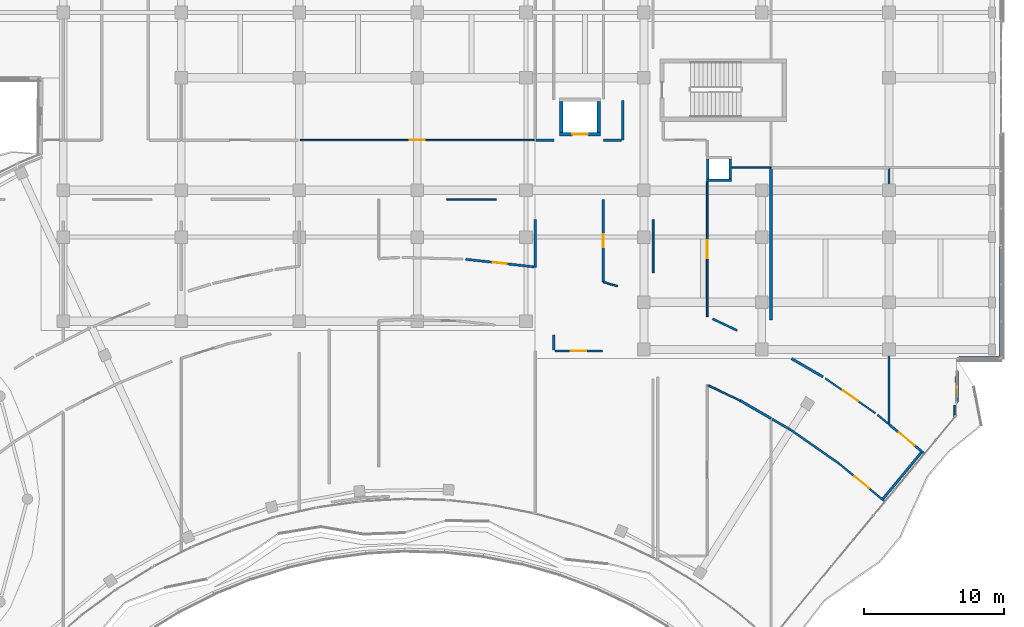
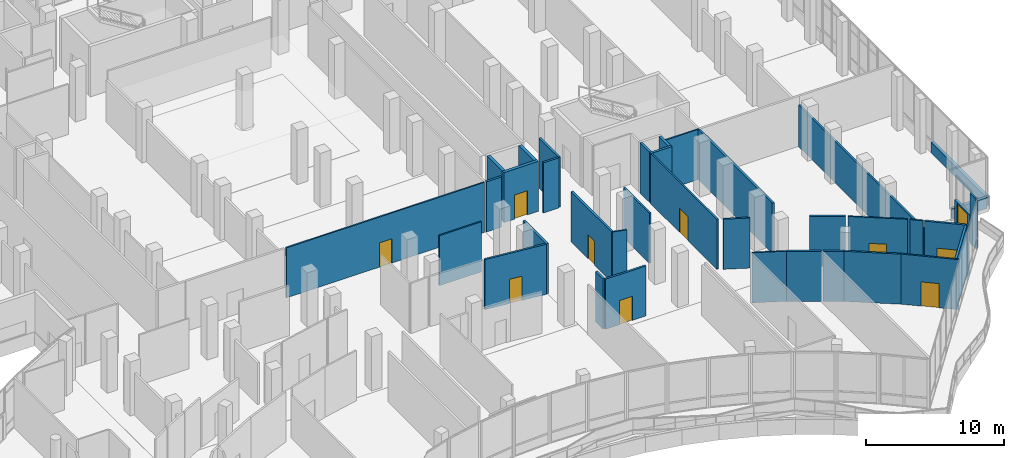
# One storey, part 150 of 168: 37 walls, 10 doors, 10 openings.
"""IFC4 building model written with IfcOpenShell, lengths in metres."""

from ifc_helpers import new_model, si_unit, direction, frame, frame_2d, origin, place, context, subcontext, project, spatial, rectangle, extrude, material, layer, layer_set, type_object, element, fill, save


model = new_model("IFC4")

# Units and contexts
model_context = context("Model", 3, precision=1e-05, world=origin(), true_north=direction((0.0, 1.0)))
body_context = subcontext(model_context, "Body", "Model", "MODEL_VIEW")
ifc_project = project(units=[si_unit("LENGTHUNIT", "METRE"), si_unit("AREAUNIT", "SQUARE_METRE"), si_unit("VOLUMEUNIT", "CUBIC_METRE"), si_unit("PLANEANGLEUNIT", "RADIAN"), si_unit("MASSUNIT", "GRAM", prefix="KILO")], contexts=[model_context])

# Site, building, storey
site_placement = place(None, origin())
site = spatial("IfcSite", under=ifc_project, at=site_placement, CompositionType="ELEMENT")
building_placement = place(site_placement, origin())
building = spatial("IfcBuilding", under=site, at=building_placement, Name="Selatvlak General Hospital", CompositionType="ELEMENT")
storey_placement = place(building_placement, frame((0.0, 0.0, 5.39990234375)))
storey = spatial("IfcBuildingStorey", under=building, at=storey_placement, Name="L01", CompositionType="ELEMENT", Elevation=5.39990234375)

# Walls
ifc_material_1 = material(Name="Precast concrete C40/50 - white Bauhaus spandrel", Category="concrete")
ifc_layer_1 = layer(ifc_material_1, 0.280029296875, Name="Precast concrete C40/50 - white Bauhaus spandrel", Category="concrete")
ifc_layer_set_1 = layer_set([ifc_layer_1], Name="Precast concrete C40/50 - white Bauhaus spandrel")
wall_type_1 = type_object("IfcWallType", Name="WALL-EW-02", PredefinedType="SOLIDWALL", material=ifc_layer_set_1)
wall_1_placement = place(storey_placement, frame((182.0, 71.9990234375, 0.0), z_axis=(0.0, 0.0, 1.0), x_axis=(0.0, -1.0, 0.0)))
element("IfcWall", 1, at=wall_1_placement, inside=storey, type_object=wall_type_1, Name="L01 Bauhaus spandrel sill wall 0227", PredefinedType="SOLIDWALL", context=body_context, shape_type="SweptSolid", body=[
    extrude(rectangle(XDim=7.85791015625, YDim=0.280029296875, at=frame_2d((3.928955078125, 0.0))), origin(), (0.0, 0.0, 1.0), 0.940185546875),
])
wall_2_placement = place(storey_placement, frame((181.860107421875, 64.0009765625, 0.0), z_axis=(0.0, 0.0, 1.0), x_axis=(-0.999999941708, -0.000341442575, 0.0)))
element("IfcWall", 2, at=wall_2_placement, inside=storey, type_object=wall_type_1, Name="L01 Bauhaus spandrel sill wall 0228", PredefinedType="SOLIDWALL", context=body_context, shape_type="SweptSolid", body=[
    extrude(rectangle(XDim=2.860107421875, YDim=0.280029296875, at=frame_2d((1.43017578125, 0.0))), origin(), (0.0, 0.0, 1.0), 0.940185546875),
])

# Wall, opening, door
ifc_material_2 = material(Name="Precast concrete C40/50 - white fair-faced", Category="concrete")
ifc_layer_2 = layer(ifc_material_2, 0.239990234375, Name="Precast concrete C40/50 - white fair-faced", Category="concrete")
ifc_layer_set_2 = layer_set([ifc_layer_2], Name="Precast concrete C40/50 - white fair-faced")
wall_type_2 = type_object("IfcWallType", Name="WALL-EW-04", PredefinedType="SOLIDWALL", material=ifc_layer_set_2)
wall_3_placement = place(storey_placement, frame((178.846923828125, 63.125, 0.0), z_axis=(0.0, 0.0, 1.0), x_axis=(-0.014752666714, -0.999891173491, 0.0)))
wall_3 = element("IfcWall", 3, at=wall_3_placement, inside=storey, type_object=wall_type_2, Name="L01 S-curve glazed balcony door frame 0229", PredefinedType="SOLIDWALL", context=body_context, shape_type="SweptSolid", body=[
    extrude(rectangle(XDim=2.30029296875, YDim=0.239990234375, at=frame_2d((1.150146484375, 0.0))), origin(), (0.0, 0.0, 1.0), 2.320068359375),
])
opening_1_placement = place(wall_3_placement, frame((0.35009765625, 0.0, 0.0)))
opening_1 = element("IfcOpeningElement", 4, at=opening_1_placement, cuts=wall_3, Name="Opening DE-05", PredefinedType="OPENING", context=body_context, shape_type="SweptSolid", body=[
    extrude(rectangle(XDim=1.60009765625, YDim=2.199951171875, at=frame_2d((0.800048828125, 1.10009765625))), frame((0.0, 0.1298828125, 0.0), z_axis=(0.0, -1.0, 0.0), x_axis=(1.0, 0.0, 0.0)), (0.0, 0.0, 1.0), 0.260009765625),
])
ifc_material_3 = material(Name="Anodised aluminium balcony double door", Category="aluminium")
door_type_1 = type_object("IfcDoorType", Name="DOOR-DE-05", OperationType="DOUBLE_DOOR_SINGLE_SWING", PredefinedType="DOOR", material=ifc_material_3)
door_1_placement = place(opening_1_placement, origin())
door_1 = element("IfcDoor", 5, at=door_1_placement, inside=storey, type_object=door_type_1, Name="L01 clinic balcony double door 21", OperationType="DOUBLE_DOOR_SINGLE_SWING", OverallHeight=2.199951171875, OverallWidth=1.60009765625, PredefinedType="DOOR", context=body_context, shape_type="SweptSolid", body=[
    extrude(rectangle(XDim=1.60009765625, YDim=2.199951171875, at=frame_2d((0.800048828125, 1.10009765625))), frame((0.0, 0.02490234375, 0.0), z_axis=(0.0, -1.0, 0.0), x_axis=(1.0, 0.0, 0.0)), (0.0, 0.0, 1.0), 0.050048828125),
])
fill(opening_1, door_1)

# Walls
ifc_material_4 = material(Name="Concrete C40/50", Category="concrete")
ifc_layer_3 = layer(ifc_material_4, 0.199951171875, Name="Concrete C40/50", Category="concrete")
ifc_layer_set_3 = layer_set([ifc_layer_3], Name="Concrete C40/50")
wall_type_3 = type_object("IfcWallType", Name="WALL-IW-02", PredefinedType="SOLIDWALL", material=ifc_layer_set_3)
wall_4_placement = place(storey_placement, frame((161.0, 76.699951171875, 0.0), z_axis=(0.0, 0.0, 1.0), x_axis=(1.0, 0.0, 0.0)))
element("IfcWall", 6, at=wall_4_placement, inside=storey, type_object=wall_type_3, Name="Service riser 4 shaft wall L01 S", PredefinedType="SOLIDWALL", context=body_context, shape_type="SweptSolid", body=[
    extrude(rectangle(XDim=1.800048828125, YDim=0.199951171875, at=frame_2d((0.89990234375, 0.0))), origin(), (0.0, 0.0, 1.0), 4.445068359375),
])
for number, where, z_axis, x_axis, name in (
    (7, (162.699951171875, 76.800048828125, 0.0), (0.0, 0.0, 1.0), (0.0, 1.0, 0.0), "Service riser 4 shaft wall L01 E"),
    (8, (161.10009765625, 78.199951171875, 0.0), (0.0, 0.0, 1.0), (0.0, -1.0, 0.0), "Service riser 4 shaft wall L01 W"),
):
    element("IfcWall", number, at=place(storey_placement, frame(where, z_axis=z_axis, x_axis=x_axis)), inside=storey, type_object=wall_type_3, Name=name, PredefinedType="SOLIDWALL", context=body_context, shape_type="SweptSolid", body=[
        extrude(rectangle(XDim=1.39990234375, YDim=0.199951171875, at=frame_2d((0.699951171875, 0.0))), origin(), (0.0, 0.0, 1.0), 4.445068359375),
    ])
ifc_material_5 = material(Name="Acoustic gypsum stud partition")
ifc_layer_4 = layer(ifc_material_5, 0.179931640625, Name="Acoustic gypsum stud partition")
ifc_layer_set_4 = layer_set([ifc_layer_4], Name="Acoustic gypsum stud partition")
wall_type_4 = type_object("IfcWallType", Name="WALL-PT-01", PredefinedType="PARTITIONING", material=ifc_layer_set_4)
wall_5_placement = place(storey_placement, frame((148.800048828125, 73.887939453125, 0.0), z_axis=(0.0, 0.0, 1.0), x_axis=(0.0, -1.0, 0.0)))
element("IfcWall", 9, at=wall_5_placement, inside=storey, type_object=wall_type_4, Name="L01 clinical partition PT-L01-0880", PredefinedType="PARTITIONING", context=body_context, shape_type="SweptSolid", body=[
    extrude(rectangle(XDim=3.407958984375, YDim=0.179931640625, at=frame_2d((1.7041015625, 0.0))), origin(), (0.0, 0.0, 1.0), 4.445068359375),
])
wall_6_placement = place(storey_placement, frame((150.139892578125, 65.695068359375, 0.0), z_axis=(0.0, 0.0, 1.0), x_axis=(0.0, -1.0, 0.0)))
element("IfcWall", 10, at=wall_6_placement, inside=storey, type_object=wall_type_4, Name="L01 clinical partition PT-L01-0885", PredefinedType="PARTITIONING", context=body_context, shape_type="SweptSolid", body=[
    extrude(rectangle(XDim=1.094970703125, YDim=0.179931640625, at=frame_2d((0.54736328125, 0.0))), origin(), (0.0, 0.0, 1.0), 4.445068359375),
])

# Wall, opening, door
wall_7_placement = place(storey_placement, frame((153.659912109375, 69.447021484375, 0.0), z_axis=(0.0, 0.0, 1.0), x_axis=(0.0, 1.0, 0.0)))
wall_7 = element("IfcWall", 11, at=wall_7_placement, inside=storey, type_object=wall_type_4, Name="L01 clinical partition PT-L01-0890", PredefinedType="PARTITIONING", context=body_context, shape_type="SweptSolid", body=[
    extrude(rectangle(XDim=5.89306640625, YDim=0.179931640625, at=frame_2d((2.946533203125, 0.0))), origin(), (0.0, 0.0, 1.0), 4.445068359375),
])
opening_2_placement = place(wall_7_placement, frame((2.471923828125, 0.0, 0.0)))
opening_2 = element("IfcOpeningElement", 12, at=opening_2_placement, cuts=wall_7, Name="Opening D-02", PredefinedType="OPENING", context=body_context, shape_type="SweptSolid", body=[
    extrude(rectangle(XDim=0.949951171875, YDim=2.10009765625, at=frame_2d((0.47509765625, 1.050048828125))), frame((0.0, 0.099853515625, 0.0), z_axis=(0.0, -1.0, 0.0), x_axis=(1.0, 0.0, 0.0)), (0.0, 0.0, 1.0), 0.199951171875),
])
ifc_material_6 = material(Name="Moisture-resistant en-suite door")
door_type_2 = type_object("IfcDoorType", Name="DOOR-D-02", OperationType="NOTDEFINED", PredefinedType="DOOR", material=ifc_material_6)
door_2_placement = place(opening_2_placement, origin())
door_2 = element("IfcDoor", 13, at=door_2_placement, inside=storey, type_object=door_type_2, Name="L01 Paediatric Intensive Care Unit 36 door", OperationType="SINGLE_SWING_RIGHT", OverallHeight=2.10009765625, OverallWidth=0.949951171875, PredefinedType="DOOR", context=body_context, shape_type="SweptSolid", body=[
    extrude(rectangle(XDim=0.949951171875, YDim=2.10009765625, at=frame_2d((0.47509765625, 1.050048828125))), frame((0.0, 0.02490234375, 0.0), z_axis=(0.0, -1.0, 0.0), x_axis=(1.0, 0.0, 0.0)), (0.0, 0.0, 1.0), 0.050048828125),
])
fill(opening_2, door_2)

# Walls
wall_8_placement = place(storey_placement, frame((163.39990234375, 61.011962890625, 0.0), z_axis=(0.0, 0.0, 1.0), x_axis=(0.865071180383, -0.501649133231, 0.0)))
element("IfcWall", 14, at=wall_8_placement, inside=storey, type_object=wall_type_4, Name="L01 clinical partition PT-L01-0895", PredefinedType="PARTITIONING", context=body_context, shape_type="SweptSolid", body=[
    extrude(rectangle(XDim=2.54345703125, YDim=0.179931640625, at=frame_2d((1.271728515625, 0.0))), origin(), (0.0, 0.0, 1.0), 4.445068359375),
])
wall_9_placement = place(storey_placement, frame((165.60009765625, 77.5439453125, 0.0), z_axis=(0.0, 0.0, 1.0), x_axis=(0.0, -1.0, 0.0)))
element("IfcWall", 15, at=wall_9_placement, inside=storey, type_object=wall_type_4, Name="L01 clinical partition PT-L01-0900", PredefinedType="PARTITIONING", context=body_context, shape_type="SweptSolid", body=[
    extrude(rectangle(XDim=10.781982421875, YDim=0.179931640625, at=frame_2d((5.39111328125, 0.0))), origin(), (0.0, 0.0, 1.0), 4.445068359375),
])
wall_10_placement = place(storey_placement, frame((169.306884765625, 62.696044921875, 0.0), z_axis=(0.0, 0.0, 1.0), x_axis=(-0.86512994763, 0.501547778097, 0.0)))
element("IfcWall", 16, at=wall_10_placement, inside=storey, type_object=wall_type_4, Name="L01 clinical partition PT-L01-0905", PredefinedType="PARTITIONING", context=body_context, shape_type="SweptSolid", body=[
    extrude(rectangle(XDim=2.595947265625, YDim=0.179931640625, at=frame_2d((1.2978515625, 0.0))), origin(), (0.0, 0.0, 1.0), 4.445068359375),
])
wall_11_placement = place(storey_placement, frame((173.574951171875, 54.013916015625, 0.0), z_axis=(0.0, 0.0, 1.0), x_axis=(0.637654919924, 0.770322142416, 0.0)))
element("IfcWall", 17, at=wall_11_placement, inside=storey, type_object=wall_type_4, Name="L01 clinical partition PT-L01-0910", PredefinedType="PARTITIONING", context=body_context, shape_type="SweptSolid", body=[
    extrude(rectangle(XDim=4.296875, YDim=0.179931640625, at=frame_2d((2.1484375, 0.0))), origin(), (0.0, 0.0, 1.0), 4.445068359375),
])
wall_12_placement = place(storey_placement, frame((155.0400390625, 82.388916015625, 0.0), z_axis=(0.0, 0.0, 1.0), x_axis=(0.0, -1.0, 0.0)))
element("IfcWall", 18, at=wall_12_placement, inside=storey, type_object=wall_type_4, Name="L01 clinical partition PT-L01-0975", PredefinedType="PARTITIONING", context=body_context, shape_type="SweptSolid", body=[
    extrude(rectangle(XDim=2.828857421875, YDim=0.179931640625, at=frame_2d((1.41455078125, 0.0))), origin(), (0.0, 0.0, 1.0), 4.445068359375),
])
wall_13_placement = place(storey_placement, frame((150.139892578125, 79.56005859375, 0.0), z_axis=(0.0, 0.0, 1.0), x_axis=(-1.0, 0.0, 0.0)))
element("IfcWall", 19, at=wall_13_placement, inside=storey, type_object=wall_type_4, Name="L01 clinical partition PT-L01-0980", PredefinedType="PARTITIONING", context=body_context, shape_type="SweptSolid", body=[
    extrude(rectangle(XDim=1.27587890625, YDim=0.179931640625, at=frame_2d((0.637939453125, 0.0))), origin(), (0.0, 0.0, 1.0), 4.445068359375),
])

# Wall, opening, door
ifc_layer_5 = layer(ifc_material_5, 0.1650390625, Name="Acoustic gypsum stud partition")
ifc_layer_set_5 = layer_set([ifc_layer_5], Name="Acoustic gypsum stud partition")
wall_type_5 = type_object("IfcWallType", Name="WALL-PT-02", PredefinedType="PARTITIONING", material=ifc_layer_set_5)
wall_14_placement = place(storey_placement, frame((148.714111328125, 70.533935546875, 0.0), z_axis=(0.0, 0.0, 1.0), x_axis=(-0.993917204148, 0.110129883764, 0.0)))
wall_14 = element("IfcWall", 20, at=wall_14_placement, inside=storey, type_object=wall_type_5, Name="L01 clinical partition PT-L01-0881", PredefinedType="PARTITIONING", context=body_context, shape_type="SweptSolid", body=[
    extrude(rectangle(XDim=4.885986328125, YDim=0.1650390625, at=frame_2d((2.44287109375, 0.0))), origin(), (0.0, 0.0, 1.0), 4.445068359375),
])
opening_3_placement = place(wall_14_placement, frame((1.943115234375, 0.0, 0.0)))
opening_3 = element("IfcOpeningElement", 21, at=opening_3_placement, cuts=wall_14, Name="Opening D-21", PredefinedType="OPENING", context=body_context, shape_type="SweptSolid", body=[
    extrude(rectangle(XDim=1.0, YDim=2.14990234375, at=frame_2d((0.5, 1.074951171875))), frame((0.0, 0.092529296875, 0.0), z_axis=(0.0, -1.0, 0.0), x_axis=(1.0, 0.0, 0.0)), (0.0, 0.0, 1.0), 0.18505859375),
])
ifc_material_7 = material(Name="Laboratory fire door")
door_type_3 = type_object("IfcDoorType", Name="DOOR-D-21", OperationType="NOTDEFINED", PredefinedType="DOOR", material=ifc_material_7)
door_3_placement = place(opening_3_placement, origin())
door_3 = element("IfcDoor", 22, at=door_3_placement, inside=storey, type_object=door_type_3, Name="L01 Paediatric Intensive Care Unit 34 door", OperationType="SINGLE_SWING_RIGHT", OverallHeight=2.14990234375, OverallWidth=1.0, PredefinedType="DOOR", context=body_context, shape_type="SweptSolid", body=[
    extrude(rectangle(XDim=1.0, YDim=2.14990234375, at=frame_2d((0.5, 1.074951171875))), frame((0.0, 0.02490234375, 0.0), z_axis=(0.0, -1.0, 0.0), x_axis=(1.0, 0.0, 0.0)), (0.0, 0.0, 1.0), 0.050048828125),
])
fill(opening_3, door_3)

wall_15_placement = place(storey_placement, frame((150.199951171875, 64.5400390625, 0.0), z_axis=(0.0, 0.0, 1.0), x_axis=(1.0, 0.0, 0.0)))
wall_15 = element("IfcWall", 23, at=wall_15_placement, inside=storey, type_object=wall_type_5, Name="L01 clinical partition PT-L01-0886", PredefinedType="PARTITIONING", context=body_context, shape_type="SweptSolid", body=[
    extrude(rectangle(XDim=3.400146484375, YDim=0.1650390625, at=frame_2d((1.7001953125, 0.0))), origin(), (0.0, 0.0, 1.0), 4.445068359375),
])
opening_4_placement = place(wall_15_placement, frame((1.14990234375, 0.0, 0.0)))
opening_4 = element("IfcOpeningElement", 24, at=opening_4_placement, cuts=wall_15, Name="Opening D-22", PredefinedType="OPENING", context=body_context, shape_type="SweptSolid", body=[
    extrude(rectangle(XDim=1.10009765625, YDim=2.14990234375, at=frame_2d((0.550048828125, 1.074951171875))), frame((0.0, 0.092529296875, 0.0), z_axis=(0.0, -1.0, 0.0), x_axis=(1.0, 0.0, 0.0)), (0.0, 0.0, 1.0), 0.18505859375),
])
ifc_material_8 = material(Name="Pharmacy security fire door")
door_type_4 = type_object("IfcDoorType", Name="DOOR-D-22", OperationType="NOTDEFINED", PredefinedType="DOOR", material=ifc_material_8)
door_4_placement = place(opening_4_placement, origin())
door_4 = element("IfcDoor", 25, at=door_4_placement, inside=storey, type_object=door_type_4, Name="L01 Adult Intensive Care Unit Bay 35 door", OperationType="SINGLE_SWING_LEFT", OverallHeight=2.14990234375, OverallWidth=1.10009765625, PredefinedType="DOOR", context=body_context, shape_type="SweptSolid", body=[
    extrude(rectangle(XDim=1.10009765625, YDim=2.14990234375, at=frame_2d((0.550048828125, 1.074951171875))), frame((0.0, 0.02490234375, 0.0), z_axis=(0.0, -1.0, 0.0), x_axis=(1.0, 0.0, 0.0)), (0.0, 0.0, 1.0), 0.050048828125),
])
fill(opening_4, door_4)

# Wall
wall_16_placement = place(storey_placement, frame((165.677978515625, 59.68994140625, 0.0), z_axis=(0.0, 0.0, 1.0), x_axis=(0.865201820635, -0.501423782413, 0.0)))
element("IfcWall", 26, at=wall_16_placement, inside=storey, type_object=wall_type_5, Name="L01 clinical partition PT-L01-0901", PredefinedType="PARTITIONING", context=body_context, shape_type="SweptSolid", body=[
    extrude(rectangle(XDim=1.53955078125, YDim=0.1650390625, at=frame_2d((0.769775390625, 0.0))), origin(), (0.0, 0.0, 1.0), 4.445068359375),
])

# Wall, opening, door
wall_17_placement = place(storey_placement, frame((176.530029296875, 57.22509765625, 0.0), z_axis=(0.0, 0.0, 1.0), x_axis=(-0.770367879737, 0.637599662695, 0.0)))
wall_17 = element("IfcWall", 27, at=wall_17_placement, inside=storey, type_object=wall_type_5, Name="L01 clinical partition PT-L01-0911", PredefinedType="PARTITIONING", context=body_context, shape_type="SweptSolid", body=[
    extrude(rectangle(XDim=3.2841796875, YDim=0.1650390625, at=frame_2d((1.64208984375, 0.0))), origin(), (0.0, 0.0, 1.0), 4.445068359375),
])
opening_5_placement = place(wall_17_placement, frame((0.9169921875, 0.0, 0.0)))
opening_5 = element("IfcOpeningElement", 28, at=opening_5_placement, cuts=wall_17, Name="Opening D-12", PredefinedType="OPENING", context=body_context, shape_type="SweptSolid", body=[
    extrude(rectangle(XDim=1.449951171875, YDim=2.14990234375, at=frame_2d((0.72509765625, 1.074951171875))), frame((0.0, 0.092529296875, 0.0), z_axis=(0.0, -1.0, 0.0), x_axis=(1.0, 0.0, 0.0)), (0.0, 0.0, 1.0), 0.18505859375),
])
ifc_material_9 = material(Name="Isolation anteroom door")
door_type_5 = type_object("IfcDoorType", Name="DOOR-D-12", OperationType="NOTDEFINED", PredefinedType="DOOR", material=ifc_material_9)
door_5_placement = place(opening_5_placement, origin())
door_5 = element("IfcDoor", 29, at=door_5_placement, inside=storey, type_object=door_type_5, Name="L01 Adult Intensive Care Unit Bay 41 door", OperationType="SINGLE_SWING_LEFT", OverallHeight=2.14990234375, OverallWidth=1.449951171875, PredefinedType="DOOR", context=body_context, shape_type="SweptSolid", body=[
    extrude(rectangle(XDim=1.449951171875, YDim=2.14990234375, at=frame_2d((0.72509765625, 1.074951171875))), frame((0.0, 0.02490234375, 0.0), z_axis=(0.0, -1.0, 0.0), x_axis=(1.0, 0.0, 0.0)), (0.0, 0.0, 1.0), 0.050048828125),
])
fill(opening_5, door_5)

# Walls
wall_18_placement = place(storey_placement, frame((154.9541015625, 79.56005859375, 0.0), z_axis=(0.0, 0.0, 1.0), x_axis=(-1.0, 0.0, 0.0)))
element("IfcWall", 30, at=wall_18_placement, inside=storey, type_object=wall_type_5, Name="L01 clinical partition PT-L01-0976", PredefinedType="PARTITIONING", context=body_context, shape_type="SweptSolid", body=[
    extrude(rectangle(XDim=1.294189453125, YDim=0.1650390625, at=frame_2d((0.64697265625, 0.0))), origin(), (0.0, 0.0, 1.0), 4.445068359375),
])
ifc_layer_6 = layer(ifc_material_5, 0.14990234375, Name="Acoustic gypsum stud partition")
ifc_layer_set_6 = layer_set([ifc_layer_6], Name="Acoustic gypsum stud partition")
wall_type_6 = type_object("IfcWallType", Name="WALL-PT-03", PredefinedType="PARTITIONING", material=ifc_layer_set_6)
wall_19_placement = place(storey_placement, frame((163.200927734375, 65.9970703125, 0.0), z_axis=(0.0, 0.0, 1.0), x_axis=(-0.903658874167, 0.428253008325, 0.0)))
element("IfcWall", 31, at=wall_19_placement, inside=storey, type_object=wall_type_6, Name="L01 clinical partition PT-L01-0897", PredefinedType="PARTITIONING", context=body_context, shape_type="SweptSolid", body=[
    extrude(rectangle(XDim=1.951904296875, YDim=0.14990234375, at=frame_2d((0.97607421875, 0.0))), origin(), (0.0, 0.0, 1.0), 4.445068359375),
])
wall_20_placement = place(storey_placement, frame((167.010009765625, 58.91796875, 0.0), z_axis=(0.0, 0.0, 1.0), x_axis=(0.820562806153, -0.571556367437, 0.0)))
element("IfcWall", 32, at=wall_20_placement, inside=storey, type_object=wall_type_6, Name="L01 clinical partition PT-L01-0902", PredefinedType="PARTITIONING", context=body_context, shape_type="SweptSolid", body=[
    extrude(rectangle(XDim=4.1728515625, YDim=0.14990234375, at=frame_2d((2.08642578125, 0.0))), origin(), (0.0, 0.0, 1.0), 4.445068359375),
])
wall_21_placement = place(storey_placement, frame((174.0, 77.52099609375, 0.0), z_axis=(0.0, 0.0, 1.0), x_axis=(0.0, -1.0, 0.0)))
element("IfcWall", 33, at=wall_21_placement, inside=storey, type_object=wall_type_6, Name="L01 clinical partition PT-L01-0907", PredefinedType="PARTITIONING", context=body_context, shape_type="SweptSolid", body=[
    extrude(rectangle(XDim=18.201904296875, YDim=0.14990234375, at=frame_2d((9.10107421875, 0.0))), origin(), (0.0, 0.0, 1.0), 3.695068359375),
])
ifc_material_10 = material(Name="Moisture-resistant clinical partition")
ifc_layer_7 = layer(ifc_material_10, 0.135009765625, Name="Moisture-resistant clinical partition")
ifc_layer_set_7 = layer_set([ifc_layer_7], Name="Moisture-resistant clinical partition")
wall_type_7 = type_object("IfcWallType", Name="WALL-PT-04", PredefinedType="PARTITIONING", material=ifc_layer_set_7)
wall_22_placement = place(storey_placement, frame((157.199951171875, 73.887939453125, 0.0), z_axis=(0.0, 0.0, 1.0), x_axis=(0.0, -1.0, 0.0)))
element("IfcWall", 34, at=wall_22_placement, inside=storey, type_object=wall_type_7, Name="L01 clinical partition PT-L01-0888", PredefinedType="PARTITIONING", context=body_context, shape_type="SweptSolid", body=[
    extrude(rectangle(XDim=3.77587890625, YDim=0.135009765625, at=frame_2d((1.887939453125, 0.0))), origin(), (0.0, 0.0, 1.0), 4.445068359375),
])

# Wall, opening, door
wall_23_placement = place(storey_placement, frame((161.06005859375, 66.98291015625, 0.0), z_axis=(0.0, 0.0, 1.0), x_axis=(0.0, 1.0, 0.0)))
wall_23 = element("IfcWall", 35, at=wall_23_placement, inside=storey, type_object=wall_type_7, Name="L01 clinical partition PT-L01-0898", PredefinedType="PARTITIONING", context=body_context, shape_type="SweptSolid", body=[
    extrude(rectangle(XDim=9.6201171875, YDim=0.135009765625, at=frame_2d((4.81005859375, 0.0))), origin(), (0.0, 0.0, 1.0), 4.445068359375),
])
opening_6_placement = place(wall_23_placement, frame((4.159912109375, 0.0, 0.0)))
opening_6 = element("IfcOpeningElement", 36, at=opening_6_placement, cuts=wall_23, Name="Opening D-09", PredefinedType="OPENING", context=body_context, shape_type="SweptSolid", body=[
    extrude(rectangle(XDim=1.300048828125, YDim=2.14990234375, at=frame_2d((0.64990234375, 1.074951171875))), frame((0.0, 0.077392578125, 0.0), z_axis=(0.0, -1.0, 0.0), x_axis=(1.0, 0.0, 0.0)), (0.0, 0.0, 1.0), 0.155029296875),
])
ifc_material_11 = material(Name="Outpatient procedure door")
door_type_6 = type_object("IfcDoorType", Name="DOOR-D-09", OperationType="NOTDEFINED", PredefinedType="DOOR", material=ifc_material_11)
door_6_placement = place(opening_6_placement, origin())
door_6 = element("IfcDoor", 37, at=door_6_placement, inside=storey, type_object=door_type_6, Name="L01 Paediatric Intensive Care Unit 38 door", OperationType="SINGLE_SWING_RIGHT", OverallHeight=2.14990234375, OverallWidth=1.300048828125, PredefinedType="DOOR", context=body_context, shape_type="SweptSolid", body=[
    extrude(rectangle(XDim=1.300048828125, YDim=2.14990234375, at=frame_2d((0.64990234375, 1.074951171875))), frame((0.0, 0.02490234375, 0.0), z_axis=(0.0, -1.0, 0.0), x_axis=(1.0, 0.0, 0.0)), (0.0, 0.0, 1.0), 0.050048828125),
])
fill(opening_6, door_6)

wall_24_placement = place(storey_placement, frame((170.43408203125, 56.532958984375, 0.0), z_axis=(0.0, 0.0, 1.0), x_axis=(0.770184287696, -0.637821419353, 0.0)))
wall_24 = element("IfcWall", 38, at=wall_24_placement, inside=storey, type_object=wall_type_7, Name="L01 clinical partition PT-L01-0903", PredefinedType="PARTITIONING", context=body_context, shape_type="SweptSolid", body=[
    extrude(rectangle(XDim=4.25341796875, YDim=0.135009765625, at=frame_2d((2.126708984375, 0.0))), origin(), (0.0, 0.0, 1.0), 4.445068359375),
])
opening_7_placement = place(wall_24_placement, frame((1.451904296875, 0.0, 0.0)))
opening_7 = element("IfcOpeningElement", 39, at=opening_7_placement, cuts=wall_24, Name="Opening D-10", PredefinedType="OPENING", context=body_context, shape_type="SweptSolid", body=[
    extrude(rectangle(XDim=1.35009765625, YDim=2.14990234375, at=frame_2d((0.675048828125, 1.074951171875))), frame((0.0, 0.077392578125, 0.0), z_axis=(0.0, -1.0, 0.0), x_axis=(1.0, 0.0, 0.0)), (0.0, 0.0, 1.0), 0.155029296875),
])
ifc_material_12 = material(Name="Single patient bed door")
door_type_7 = type_object("IfcDoorType", Name="DOOR-D-10", OperationType="NOTDEFINED", PredefinedType="DOOR", material=ifc_material_12)
door_7_placement = place(opening_7_placement, origin())
door_7 = element("IfcDoor", 40, at=door_7_placement, inside=storey, type_object=door_type_7, Name="L01 Adult Intensive Care Unit Bay 39 door", OperationType="SINGLE_SWING_LEFT", OverallHeight=2.14990234375, OverallWidth=1.35009765625, PredefinedType="DOOR", context=body_context, shape_type="SweptSolid", body=[
    extrude(rectangle(XDim=1.35009765625, YDim=2.14990234375, at=frame_2d((0.675048828125, 1.074951171875))), frame((0.0, 0.02490234375, 0.0), z_axis=(0.0, -1.0, 0.0), x_axis=(1.0, 0.0, 0.0)), (0.0, 0.0, 1.0), 0.050048828125),
])
fill(opening_7, door_7)

# Walls
wall_25_placement = place(storey_placement, frame((173.928955078125, 59.3779296875, 0.0), z_axis=(0.0, 0.0, 1.0), x_axis=(-0.769933113357, 0.638124596733, 0.0)))
element("IfcWall", 41, at=wall_25_placement, inside=storey, type_object=wall_type_7, Name="L01 clinical partition PT-L01-0908", PredefinedType="PARTITIONING", context=body_context, shape_type="SweptSolid", body=[
    extrude(rectangle(XDim=0.96875, YDim=0.135009765625, at=frame_2d((0.484375, 0.0))), origin(), (0.0, 0.0, 1.0), 4.445068359375),
])
ifc_layer_8 = layer(ifc_material_10, 0.1201171875, Name="Moisture-resistant clinical partition")
ifc_layer_set_8 = layer_set([ifc_layer_8], Name="Moisture-resistant clinical partition")
wall_type_8 = type_object("IfcWallType", Name="WALL-PT-05", PredefinedType="PARTITIONING", material=ifc_layer_set_8)
wall_26_placement = place(storey_placement, frame((142.508056640625, 75.340087890625, 0.0), z_axis=(0.0, 0.0, 1.0), x_axis=(1.0, 0.0, 0.0)))
element("IfcWall", 42, at=wall_26_placement, inside=storey, type_object=wall_type_8, Name="L01 clinical partition PT-L01-0879", PredefinedType="PARTITIONING", context=body_context, shape_type="SweptSolid", body=[
    extrude(rectangle(XDim=3.533935546875, YDim=0.1201171875, at=frame_2d((1.76708984375, 0.0))), origin(), (0.0, 0.0, 1.0), 4.445068359375),
])
wall_27_placement = place(storey_placement, frame((154.672119140625, 69.159912109375, 0.0), z_axis=(0.0, 0.0, 1.0), x_axis=(-0.962047568244, 0.272881799386, 0.0)))
element("IfcWall", 43, at=wall_27_placement, inside=storey, type_object=wall_type_8, Name="L01 clinical partition PT-L01-0889", PredefinedType="PARTITIONING", context=body_context, shape_type="SweptSolid", body=[
    extrude(rectangle(XDim=1.05224609375, YDim=0.1201171875, at=frame_2d((0.526123046875, 0.0))), origin(), (0.0, 0.0, 1.0), 4.445068359375),
])
wall_28_placement = place(storey_placement, frame((161.1240234375, 62.091064453125, 0.0), z_axis=(0.0, 0.0, 1.0), x_axis=(0.903575932901, -0.428427979341, 0.0)))
element("IfcWall", 44, at=wall_28_placement, inside=storey, type_object=wall_type_8, Name="L01 clinical partition PT-L01-0894", PredefinedType="PARTITIONING", context=body_context, shape_type="SweptSolid", body=[
    extrude(rectangle(XDim=2.518798828125, YDim=0.1201171875, at=frame_2d((1.25927734375, 0.0))), origin(), (0.0, 0.0, 1.0), 4.445068359375),
])
wall_29_placement = place(storey_placement, frame((162.797119140625, 77.60009765625, 0.0), z_axis=(0.0, 0.0, 1.0), x_axis=(1.0, 0.0, 0.0)))
element("IfcWall", 45, at=wall_29_placement, inside=storey, type_object=wall_type_8, Name="L01 clinical partition PT-L01-0899", PredefinedType="PARTITIONING", context=body_context, shape_type="SweptSolid", body=[
    extrude(rectangle(XDim=2.802978515625, YDim=0.1201171875, at=frame_2d((1.4013671875, 0.0))), origin(), (0.0, 0.0, 1.0), 4.445068359375),
])

# Wall, opening, door
wall_30_placement = place(storey_placement, frame((173.035888671875, 60.10693359375, 0.0), z_axis=(0.0, 0.0, 1.0), x_axis=(-0.820574971601, 0.571538901547, 0.0)))
wall_30 = element("IfcWall", 46, at=wall_30_placement, inside=storey, type_object=wall_type_8, Name="L01 clinical partition PT-L01-0904", PredefinedType="PARTITIONING", context=body_context, shape_type="SweptSolid", body=[
    extrude(rectangle(XDim=4.356689453125, YDim=0.1201171875, at=frame_2d((2.17822265625, 0.0))), origin(), (0.0, 0.0, 1.0), 4.445068359375),
])
opening_8_placement = place(wall_30_placement, frame((1.528076171875, 0.0, 0.0)))
opening_8 = element("IfcOpeningElement", 47, at=opening_8_placement, cuts=wall_30, Name="Opening D-24", PredefinedType="OPENING", context=body_context, shape_type="SweptSolid", body=[
    extrude(rectangle(XDim=1.300048828125, YDim=2.14990234375, at=frame_2d((0.64990234375, 1.074951171875))), frame((0.0, 0.070068359375, 0.0), z_axis=(0.0, -1.0, 0.0), x_axis=(1.0, 0.0, 0.0)), (0.0, 0.0, 1.0), 0.14013671875),
])
ifc_material_13 = material(Name="Oncology bay door")
door_type_8 = type_object("IfcDoorType", Name="DOOR-D-24", OperationType="NOTDEFINED", PredefinedType="DOOR", material=ifc_material_13)
door_8_placement = place(opening_8_placement, origin())
door_8 = element("IfcDoor", 48, at=door_8_placement, inside=storey, type_object=door_type_8, Name="L01 Paediatric Intensive Care Unit 40 door", OperationType="SINGLE_SWING_RIGHT", OverallHeight=2.14990234375, OverallWidth=1.300048828125, PredefinedType="DOOR", context=body_context, shape_type="SweptSolid", body=[
    extrude(rectangle(XDim=1.300048828125, YDim=2.14990234375, at=frame_2d((0.64990234375, 1.074951171875))), frame((0.0, 0.02490234375, 0.0), z_axis=(0.0, -1.0, 0.0), x_axis=(1.0, 0.0, 0.0)), (0.0, 0.0, 1.0), 0.050048828125),
])
fill(opening_8, door_8)

# Wall
wall_31_placement = place(storey_placement, frame((178.659912109375, 60.68798828125, 0.0), z_axis=(0.0, 0.0, 1.0), x_axis=(0.0, -1.0, 0.0)))
element("IfcWall", 49, at=wall_31_placement, inside=storey, type_object=wall_type_8, Name="L01 clinical partition PT-L01-0909", PredefinedType="PARTITIONING", context=body_context, shape_type="SweptSolid", body=[
    extrude(rectangle(XDim=0.889892578125, YDim=0.1201171875, at=frame_2d((0.44482421875, 0.0))), origin(), (0.0, 0.0, 1.0), 4.445068359375),
])

# Wall, opening, door
wall_32_placement = place(storey_placement, frame((148.737060546875, 79.56005859375, 0.0), z_axis=(0.0, 0.0, 1.0), x_axis=(-1.0, 0.0, 0.0)))
wall_32 = element("IfcWall", 50, at=wall_32_placement, inside=storey, type_object=wall_type_8, Name="L01 clinical partition PT-L01-0974", PredefinedType="PARTITIONING", context=body_context, shape_type="SweptSolid", body=[
    extrude(rectangle(XDim=16.651123046875, YDim=0.1201171875, at=frame_2d((8.32568359375, 0.0))), origin(), (0.0, 0.0, 1.0), 4.445068359375),
])
opening_9_placement = place(wall_32_placement, frame((7.800048828125, 0.0, 0.0)))
opening_9 = element("IfcOpeningElement", 51, at=opening_9_placement, cuts=wall_32, Name="Opening D-04", PredefinedType="OPENING", context=body_context, shape_type="SweptSolid", body=[
    extrude(rectangle(XDim=1.050048828125, YDim=2.14990234375, at=frame_2d((0.52490234375, 1.074951171875))), frame((0.0, 0.070068359375, 0.0), z_axis=(0.0, -1.0, 0.0), x_axis=(1.0, 0.0, 0.0)), (0.0, 0.0, 1.0), 0.14013671875),
])
ifc_material_14 = material(Name="Consultation room door")
door_type_9 = type_object("IfcDoorType", Name="DOOR-D-04", OperationType="NOTDEFINED", PredefinedType="DOOR", material=ifc_material_14)
door_9_placement = place(opening_9_placement, origin())
door_9 = element("IfcDoor", 52, at=door_9_placement, inside=storey, type_object=door_type_9, Name="L01 Adult Intensive Care Unit Bay 57 door", OperationType="SINGLE_SWING_LEFT", OverallHeight=2.14990234375, OverallWidth=1.050048828125, PredefinedType="DOOR", context=body_context, shape_type="SweptSolid", body=[
    extrude(rectangle(XDim=1.050048828125, YDim=2.14990234375, at=frame_2d((0.52490234375, 1.074951171875))), frame((0.0, 0.02490234375, 0.0), z_axis=(0.0, -1.0, 0.0), x_axis=(1.0, 0.0, 0.0)), (0.0, 0.0, 1.0), 0.050048828125),
])
fill(opening_9, door_9)

ifc_layer_9 = layer(ifc_material_4, 0.25, Name="Concrete C40/50", Category="concrete")
ifc_layer_set_9 = layer_set([ifc_layer_9], Name="Concrete C40/50")
wall_type_9 = type_object("IfcWallType", Name="WALL-SW-03", PredefinedType="SHEAR", material=ifc_layer_set_9)
wall_33_placement = place(storey_placement, frame((150.550048828125, 79.97509765625, 0.0), z_axis=(0.0, 0.0, 1.0), x_axis=(1.0, 0.0, 0.0)))
wall_33 = element("IfcWall", 53, at=wall_33_placement, inside=storey, type_object=wall_type_9, Name="Lift LP-04 shaft wall L01 S", PredefinedType="SHEAR", context=body_context, shape_type="SweptSolid", body=[
    extrude(rectangle(XDim=2.89990234375, YDim=0.25, at=frame_2d((1.449951171875, 0.0))), origin(), (0.0, 0.0, 1.0), 4.445068359375),
])
opening_10_placement = place(wall_33_placement, frame((0.89990234375, 0.0, 0.0)))
opening_10 = element("IfcOpeningElement", 54, at=opening_10_placement, cuts=wall_33, Name="Opening LD-P1", PredefinedType="OPENING", context=body_context, shape_type="SweptSolid", body=[
    extrude(rectangle(XDim=1.10009765625, YDim=2.14990234375, at=frame_2d((0.550048828125, 1.074951171875))), frame((0.0, 0.135009765625, 0.0), z_axis=(0.0, -1.0, 0.0), x_axis=(1.0, 0.0, 0.0)), (0.0, 0.0, 1.0), 0.27001953125),
])
ifc_material_15 = material(Name="Stainless steel passenger lift landing door", Category="steel")
door_type_10 = type_object("IfcDoorType", Name="DOOR-LD-P1", OperationType="DOUBLE_DOOR_SLIDING", PredefinedType="DOOR", material=ifc_material_15)
door_10_placement = place(opening_10_placement, origin())
door_10 = element("IfcDoor", 55, at=door_10_placement, inside=storey, type_object=door_type_10, Name="Lift LP-04 sliding landing door on L01", OperationType="DOUBLE_DOOR_SLIDING", OverallHeight=2.14990234375, OverallWidth=1.10009765625, PredefinedType="DOOR", context=body_context, shape_type="SweptSolid", body=[
    extrude(rectangle(XDim=1.10009765625, YDim=2.14990234375, at=frame_2d((0.550048828125, 1.074951171875))), frame((0.0, 0.02490234375, 0.0), z_axis=(0.0, -1.0, 0.0), x_axis=(1.0, 0.0, 0.0)), (0.0, 0.0, 1.0), 0.050048828125),
])
fill(opening_10, door_10)

# Walls
for number, where, z_axis, x_axis, name in (
    (56, (153.324951171875, 80.10009765625, 0.0), (0.0, 0.0, 1.0), (0.0, 1.0, 0.0), "Lift LP-04 shaft wall L01 E"),
    (57, (150.675048828125, 82.300048828125, 0.0), (0.0, 0.0, 1.0), (0.0, -1.0, 0.0), "Lift LP-04 shaft wall L01 W"),
):
    element("IfcWall", number, at=place(storey_placement, frame(where, z_axis=z_axis, x_axis=x_axis)), inside=storey, type_object=wall_type_9, Name=name, PredefinedType="SHEAR", context=body_context, shape_type="SweptSolid", body=[
        extrude(rectangle(XDim=2.199951171875, YDim=0.25, at=frame_2d((1.10009765625, 0.0))), origin(), (0.0, 0.0, 1.0), 4.445068359375),
    ])

save(model, "model.ifc")
